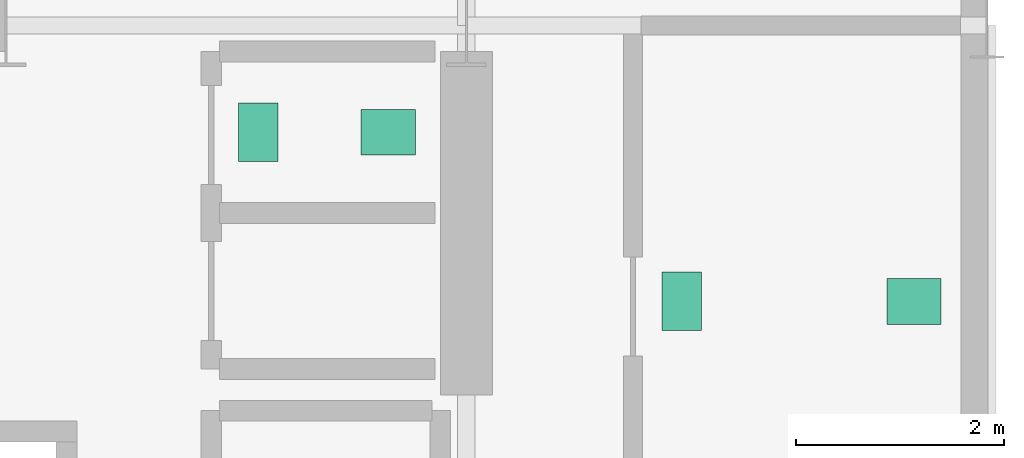
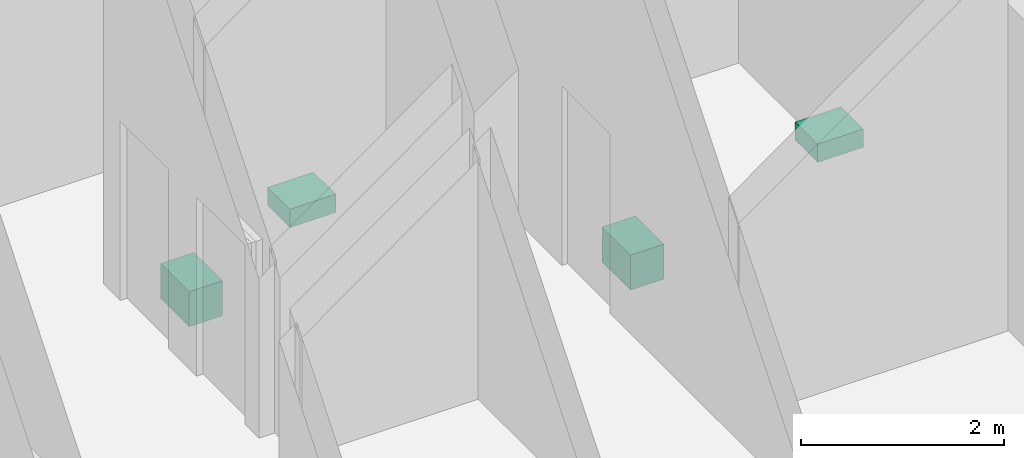
# One storey, part 10 of 10: 4 sanitary terminals.
"""IFC4 building model written with IfcOpenShell, lengths in metres."""

from ifc_helpers import new_model, si_unit, direction, frame, origin, origin_2d, place, context, subcontext, project, spatial, rectangle, extrude, material, type_object, element, save


model = new_model("IFC4")

# Units and contexts
model_context = context("Model", 3, precision=1e-05, world=origin(), true_north=direction((0.0, 1.0)))
body_context = subcontext(model_context, "Body", "Model", "MODEL_VIEW")
ifc_project = project(units=[si_unit("LENGTHUNIT", "METRE"), si_unit("AREAUNIT", "SQUARE_METRE"), si_unit("VOLUMEUNIT", "CUBIC_METRE"), si_unit("PLANEANGLEUNIT", "RADIAN"), si_unit("MASSUNIT", "GRAM", prefix="KILO")], contexts=[model_context])

# Site, building, storey
site_placement = place(None, origin())
site = spatial("IfcSite", under=ifc_project, at=site_placement, CompositionType="ELEMENT")
building_placement = place(site_placement, origin())
building = spatial("IfcBuilding", under=site, at=building_placement, Name="Barlavira Tower and Art Museum", CompositionType="ELEMENT")
storey_placement = place(building_placement, frame((0.0, 0.0, 314.39990234375)))
storey = spatial("IfcBuildingStorey", under=building, at=storey_placement, Name="L82", CompositionType="ELEMENT", Elevation=314.39990234375)

# Sanitary terminals
ifc_material = material(Name="Vitreous glazed ceramic", Category="ceramic")
sanitary_terminal_type_1 = type_object("IfcSanitaryTerminalType", Name="Countertop Ceramic Wash Hand Basin", PredefinedType="WASHHANDBASIN", material=ifc_material)
for number, where, z_axis, x_axis, name in (
    (1, (5.75, 6.47509765625, 0.740234375), (0.0, 0.0, 1.0), (1.0, 0.0, 0.0), "L82-C-WC1 Wash Basin"),
    (2, (10.800048828125, 4.85009765625, 0.740234375), (0.0, 0.0, 1.0), (1.0, 0.0, 0.0), "L82-WG-AWC Wash Basin"),
):
    element("IfcSanitaryTerminal", number, at=place(storey_placement, frame(where, z_axis=z_axis, x_axis=x_axis)), inside=storey, type_object=sanitary_terminal_type_1, Name=name, PredefinedType="WASHHANDBASIN", context=body_context, shape_type="SweptSolid", body=[
        extrude(rectangle(XDim=0.52001953125, YDim=0.43994140625, at=origin_2d()), origin(), (0.0, 0.0, 1.0), 0.219970703125),
    ])
sanitary_terminal_type_2 = type_object("IfcSanitaryTerminalType", Name="Wall-Hung Dual-Flush Vitreous WC Pan", PredefinedType="TOILETPAN", material=ifc_material)
for number, where, z_axis, x_axis, name in (
    (3, (4.5, 6.47509765625, 0.000244140625), (0.0, 0.0, 1.0), (1.0, 0.0, 0.0), "L82-C-WC1 WC Pan"),
    (4, (8.570068359375, 4.85009765625, 0.000244140625), (0.0, 0.0, 1.0), (1.0, 0.0, 0.0), "L82-WG-AWC WC Pan"),
):
    element("IfcSanitaryTerminal", number, at=place(storey_placement, frame(where, z_axis=z_axis, x_axis=x_axis)), inside=storey, type_object=sanitary_terminal_type_2, Name=name, PredefinedType="TOILETPAN", context=body_context, shape_type="SweptSolid", body=[
        extrude(rectangle(XDim=0.3798828125, YDim=0.56005859375, at=origin_2d()), origin(), (0.0, 0.0, 1.0), 0.419921875),
    ])

save(model, "model.ifc")
